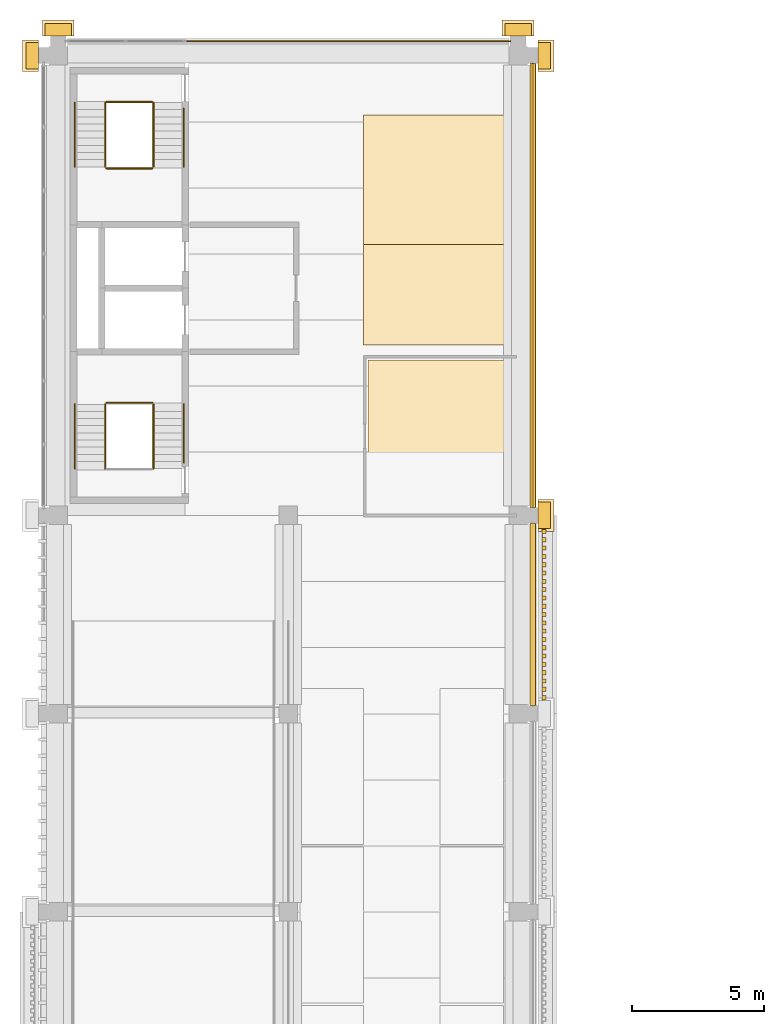
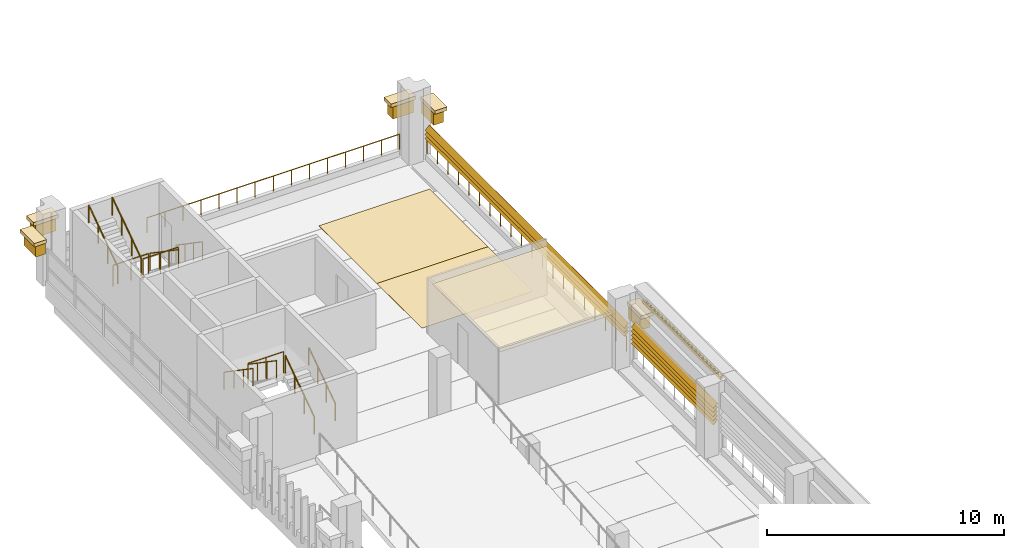
# One storey, part 17 of 25: 14 coverings, 13 railings, 8 shading devices.
"""IFC4 building model written with IfcOpenShell, lengths in metres."""

from ifc_helpers import new_model, si_unit, direction, frame, origin, origin_2d, place, context, subcontext, project, spatial, polyline, circle, outline, extrude, material, layer, layer_set, type_object, element, save


model = new_model("IFC4")

# Units and contexts
model_context = context("Model", 3, precision=1e-05, world=origin(), true_north=direction((0.0, 1.0)))
body_context = subcontext(model_context, "Body", "Model", "MODEL_VIEW")
ifc_project = project(units=[si_unit("LENGTHUNIT", "METRE"), si_unit("AREAUNIT", "SQUARE_METRE"), si_unit("VOLUMEUNIT", "CUBIC_METRE"), si_unit("PLANEANGLEUNIT", "RADIAN"), si_unit("MASSUNIT", "GRAM", prefix="KILO")], contexts=[model_context])

# Site, building, storey
site_placement = place(None, origin())
site = spatial("IfcSite", under=ifc_project, at=site_placement, CompositionType="ELEMENT")
building_placement = place(site_placement, origin())
building = spatial("IfcBuilding", under=site, at=building_placement, Name="Cour d'Honneur Mobility Palace", CompositionType="ELEMENT")
storey_placement = place(building_placement, frame((0.0, 0.0, 30.39990234375)))
storey = spatial("IfcBuildingStorey", under=building, at=storey_placement, Name="L08", CompositionType="ELEMENT", Elevation=30.39990234375)

# Coverings
ifc_material_1 = material(Name="Accessible bay marking paint")
ifc_layer_1 = layer(ifc_material_1, 0.0048828125)
ifc_layer_set_1 = layer_set([ifc_layer_1], Name="Accessible bay marking paint")
covering_type_1 = type_object("IfcCoveringType", Name="Accessible parking bay marking", PredefinedType="FLOORING", material=ifc_layer_set_1)
covering_1_placement = place(storey_placement, origin())
element("IfcCovering", 1, at=covering_1_placement, inside=storey, type_object=covering_type_1, Name="Accessible parking bay marking L08 1", PredefinedType="FLOORING", context=body_context, shape_type="SweptSolid", body=[
    extrude(outline(polyline([(16.949951171875, 51.449951171875), (11.550048828125, 51.449951171875), (11.550048828125, 56.35009765625), (16.949951171875, 56.35009765625), (16.949951171875, 51.449951171875)])), origin(), (0.0, 0.0, 1.0), 0.005126953125),
])
covering_2_placement = place(storey_placement, origin())
element("IfcCovering", 2, at=covering_2_placement, inside=storey, type_object=covering_type_1, Name="Accessible parking bay marking L08 2", PredefinedType="FLOORING", context=body_context, shape_type="SweptSolid", body=[
    extrude(outline(polyline([(11.550048828125, 60.14990234375), (16.949951171875, 60.14990234375), (16.949951171875, 55.25), (11.550048828125, 55.25), (11.550048828125, 60.14990234375)])), origin(), (0.0, 0.0, 1.0), 0.005126953125),
])

# Railings
ifc_material_2 = material(Name="Painted steel", Category="steel")
railing_type_1 = type_object("IfcRailingType", Name="Balustrade", PredefinedType="BALUSTRADE", material=ifc_material_2)
railing_1_placement = place(storey_placement, frame((17.949951171875, 45.300048828125, 0.300048828125)))
element("IfcRailing", 3, at=railing_1_placement, inside=storey, type_object=railing_type_1, Name="Balustrade BAL-396", PredefinedType="BALUSTRADE", context=body_context, shape_type="SweptSolid", body=[
    extrude(circle(Radius=0.02392578125, at=origin_2d()), frame((0.0, 0.0, 0.77587890625), z_axis=(0.0, 1.0, 0.0), x_axis=(-1.0, 0.0, 0.0)), (0.0, 0.0, 1.0), 16.800048828125),
    extrude(circle(Radius=0.02099609375, at=origin_2d()), origin(), (0.0, 0.0, 1.0), 0.751953125),
    extrude(circle(Radius=0.02099609375, at=origin_2d()), frame((0.0, 0.88427734375, 0.0)), (0.0, 0.0, 1.0), 0.751953125),
    extrude(circle(Radius=0.02099609375, at=origin_2d()), frame((0.0, 1.768310546875, 0.0)), (0.0, 0.0, 1.0), 0.751953125),
    extrude(circle(Radius=0.02099609375, at=origin_2d()), frame((0.0, 2.652587890625, 0.0)), (0.0, 0.0, 1.0), 0.751953125),
    extrude(circle(Radius=0.02099609375, at=origin_2d()), frame((0.0, 3.536865234375, 0.0)), (0.0, 0.0, 1.0), 0.751953125),
    extrude(circle(Radius=0.02099609375, at=origin_2d()), frame((0.0, 4.421142578125, 0.0)), (0.0, 0.0, 1.0), 0.751953125),
    extrude(circle(Radius=0.02099609375, at=origin_2d()), frame((0.0, 5.30517578125, 0.0)), (0.0, 0.0, 1.0), 0.751953125),
    extrude(circle(Radius=0.02099609375, at=origin_2d()), frame((0.0, 6.189453125, 0.0)), (0.0, 0.0, 1.0), 0.751953125),
    extrude(circle(Radius=0.02099609375, at=origin_2d()), frame((0.0, 7.07373046875, 0.0)), (0.0, 0.0, 1.0), 0.751953125),
    extrude(circle(Radius=0.02099609375, at=origin_2d()), frame((0.0, 7.9580078125, 0.0)), (0.0, 0.0, 1.0), 0.751953125),
    extrude(circle(Radius=0.02099609375, at=origin_2d()), frame((0.0, 8.842041015625, 0.0)), (0.0, 0.0, 1.0), 0.751953125),
    extrude(circle(Radius=0.02099609375, at=origin_2d()), frame((0.0, 9.726318359375, 0.0)), (0.0, 0.0, 1.0), 0.751953125),
    extrude(circle(Radius=0.02099609375, at=origin_2d()), frame((0.0, 10.610595703125, 0.0)), (0.0, 0.0, 1.0), 0.751953125),
    extrude(circle(Radius=0.02099609375, at=origin_2d()), frame((0.0, 11.494873046875, 0.0)), (0.0, 0.0, 1.0), 0.751953125),
    extrude(circle(Radius=0.02099609375, at=origin_2d()), frame((0.0, 12.37890625, 0.0)), (0.0, 0.0, 1.0), 0.751953125),
    extrude(circle(Radius=0.02099609375, at=origin_2d()), frame((0.0, 13.26318359375, 0.0)), (0.0, 0.0, 1.0), 0.751953125),
    extrude(circle(Radius=0.02099609375, at=origin_2d()), frame((0.0, 14.1474609375, 0.0)), (0.0, 0.0, 1.0), 0.751953125),
    extrude(circle(Radius=0.02099609375, at=origin_2d()), frame((0.0, 15.03173828125, 0.0)), (0.0, 0.0, 1.0), 0.751953125),
    extrude(circle(Radius=0.02099609375, at=origin_2d()), frame((0.0, 15.915771484375, 0.0)), (0.0, 0.0, 1.0), 0.751953125),
    extrude(circle(Radius=0.02099609375, at=origin_2d()), frame((0.0, 16.800048828125, 0.0)), (0.0, 0.0, 1.0), 0.751953125),
])
railing_2_placement = place(storey_placement, frame((17.10009765625, 62.949951171875, 0.300048828125)))
element("IfcRailing", 4, at=railing_2_placement, inside=storey, type_object=railing_type_1, Name="Balustrade BAL-397", PredefinedType="BALUSTRADE", context=body_context, shape_type="SweptSolid", body=[
    extrude(circle(Radius=0.02392578125, at=origin_2d()), frame((0.0, 0.0, 0.77587890625), z_axis=(-1.0, 0.0, 0.0), x_axis=(0.0, -1.0, 0.0)), (0.0, 0.0, 1.0), 12.300048828125),
    extrude(circle(Radius=0.02099609375, at=origin_2d()), origin(), (0.0, 0.0, 1.0), 0.751953125),
    extrude(circle(Radius=0.02099609375, at=origin_2d()), frame((-0.878662109375, 0.0, 0.0)), (0.0, 0.0, 1.0), 0.751953125),
    extrude(circle(Radius=0.02099609375, at=origin_2d()), frame((-1.757080078125, 0.0, 0.0)), (0.0, 0.0, 1.0), 0.751953125),
    extrude(circle(Radius=0.02099609375, at=origin_2d()), frame((-2.6357421875, 0.0, 0.0)), (0.0, 0.0, 1.0), 0.751953125),
    extrude(circle(Radius=0.02099609375, at=origin_2d()), frame((-3.514404296875, 0.0, 0.0)), (0.0, 0.0, 1.0), 0.751953125),
    extrude(circle(Radius=0.02099609375, at=origin_2d()), frame((-4.392822265625, 0.0, 0.0)), (0.0, 0.0, 1.0), 0.751953125),
    extrude(circle(Radius=0.02099609375, at=origin_2d()), frame((-5.271484375, 0.0, 0.0)), (0.0, 0.0, 1.0), 0.751953125),
    extrude(circle(Radius=0.02099609375, at=origin_2d()), frame((-6.14990234375, 0.0, 0.0)), (0.0, 0.0, 1.0), 0.751953125),
    extrude(circle(Radius=0.02099609375, at=origin_2d()), frame((-7.028564453125, 0.0, 0.0)), (0.0, 0.0, 1.0), 0.751953125),
    extrude(circle(Radius=0.02099609375, at=origin_2d()), frame((-7.9072265625, 0.0, 0.0)), (0.0, 0.0, 1.0), 0.751953125),
    extrude(circle(Radius=0.02099609375, at=origin_2d()), frame((-8.78564453125, 0.0, 0.0)), (0.0, 0.0, 1.0), 0.751953125),
    extrude(circle(Radius=0.02099609375, at=origin_2d()), frame((-9.664306640625, 0.0, 0.0)), (0.0, 0.0, 1.0), 0.751953125),
    extrude(circle(Radius=0.02099609375, at=origin_2d()), frame((-10.54296875, 0.0, 0.0)), (0.0, 0.0, 1.0), 0.751953125),
    extrude(circle(Radius=0.02099609375, at=origin_2d()), frame((-11.42138671875, 0.0, 0.0)), (0.0, 0.0, 1.0), 0.751953125),
    extrude(circle(Radius=0.02099609375, at=origin_2d()), frame((-12.300048828125, 0.0, 0.0)), (0.0, 0.0, 1.0), 0.751953125),
])

# Covering
ifc_material_3 = material(Name="Cast limestone", Category="masonry")
ifc_layer_2 = layer(ifc_material_3, 0.14990234375)
ifc_layer_set_2 = layer_set([ifc_layer_2], Name="Cast limestone")
covering_type_2 = type_object("IfcCoveringType", Name="Dentil course", PredefinedType="CLADDING", material=ifc_layer_set_2)
covering_3_placement = place(storey_placement, frame((0.0, 0.0, 3.150146484375)))
element("IfcCovering", 5, at=covering_3_placement, inside=storey, type_object=covering_type_2, Name="Dentil course DC-128", PredefinedType="CLADDING", context=body_context, shape_type="SweptSolid", body=[
    extrude(outline(polyline([(18.300048828125, 37.949951171875), (18.300048828125, 44.550048828125), (18.330078125, 44.550048828125), (18.330078125, 44.550048828125), (18.330078125, 44.471435546875), (18.449951171875, 44.471435546875), (18.449951171875, 44.314208984375), (18.330078125, 44.314208984375), (18.330078125, 44.235595703125), (18.330078125, 44.235595703125), (18.330078125, 44.1572265625), (18.449951171875, 44.1572265625), (18.449951171875, 44.0), (18.330078125, 44.0), (18.330078125, 43.92138671875), (18.330078125, 43.92138671875), (18.330078125, 43.8427734375), (18.449951171875, 43.8427734375), (18.449951171875, 43.685791015625), (18.330078125, 43.685791015625), (18.330078125, 43.607177734375), (18.330078125, 43.607177734375), (18.330078125, 43.528564453125), (18.449951171875, 43.528564453125), (18.449951171875, 43.371337890625), (18.330078125, 43.371337890625), (18.330078125, 43.29296875), (18.330078125, 43.29296875), (18.330078125, 43.21435546875), (18.449951171875, 43.21435546875), (18.449951171875, 43.05712890625), (18.330078125, 43.05712890625), (18.330078125, 42.978515625), (18.330078125, 42.978515625), (18.330078125, 42.89990234375), (18.449951171875, 42.89990234375), (18.449951171875, 42.742919921875), (18.330078125, 42.742919921875), (18.330078125, 42.664306640625), (18.330078125, 42.664306640625), (18.330078125, 42.585693359375), (18.449951171875, 42.585693359375), (18.449951171875, 42.428466796875), (18.330078125, 42.428466796875), (18.330078125, 42.35009765625), (18.330078125, 42.35009765625), (18.330078125, 42.271484375), (18.449951171875, 42.271484375), (18.449951171875, 42.1142578125), (18.330078125, 42.1142578125), (18.330078125, 42.03564453125), (18.330078125, 42.03564453125), (18.330078125, 41.95703125), (18.449951171875, 41.95703125), (18.449951171875, 41.800048828125), (18.330078125, 41.800048828125), (18.330078125, 41.721435546875), (18.330078125, 41.721435546875), (18.330078125, 41.642822265625), (18.449951171875, 41.642822265625), (18.449951171875, 41.485595703125), (18.330078125, 41.485595703125), (18.330078125, 41.4072265625), (18.330078125, 41.4072265625), (18.330078125, 41.32861328125), (18.449951171875, 41.32861328125), (18.449951171875, 41.17138671875), (18.330078125, 41.17138671875), (18.330078125, 41.0927734375), (18.330078125, 41.0927734375), (18.330078125, 41.014404296875), (18.449951171875, 41.014404296875), (18.449951171875, 40.857177734375), (18.330078125, 40.857177734375), (18.330078125, 40.778564453125), (18.330078125, 40.778564453125), (18.330078125, 40.699951171875), (18.449951171875, 40.699951171875), (18.449951171875, 40.54296875), (18.330078125, 40.54296875), (18.330078125, 40.46435546875), (18.330078125, 40.46435546875), (18.330078125, 40.3857421875), (18.449951171875, 40.3857421875), (18.449951171875, 40.228515625), (18.330078125, 40.228515625), (18.330078125, 40.14990234375), (18.330078125, 40.14990234375), (18.330078125, 40.071533203125), (18.449951171875, 40.071533203125), (18.449951171875, 39.914306640625), (18.330078125, 39.914306640625), (18.330078125, 39.835693359375), (18.330078125, 39.835693359375), (18.330078125, 39.757080078125), (18.449951171875, 39.757080078125), (18.449951171875, 39.60009765625), (18.330078125, 39.60009765625), (18.330078125, 39.521484375), (18.330078125, 39.521484375), (18.330078125, 39.44287109375), (18.449951171875, 39.44287109375), (18.449951171875, 39.28564453125), (18.330078125, 39.28564453125), (18.330078125, 39.20703125), (18.330078125, 39.20703125), (18.330078125, 39.128662109375), (18.449951171875, 39.128662109375), (18.449951171875, 38.971435546875), (18.330078125, 38.971435546875), (18.330078125, 38.892822265625), (18.330078125, 38.892822265625), (18.330078125, 38.814208984375), (18.449951171875, 38.814208984375), (18.449951171875, 38.6572265625), (18.330078125, 38.6572265625), (18.330078125, 38.57861328125), (18.330078125, 38.57861328125), (18.330078125, 38.5), (18.449951171875, 38.5), (18.449951171875, 38.3427734375), (18.330078125, 38.3427734375), (18.330078125, 38.264404296875), (18.330078125, 38.264404296875), (18.330078125, 38.185791015625), (18.449951171875, 38.185791015625), (18.449951171875, 38.028564453125), (18.330078125, 38.028564453125), (18.330078125, 37.949951171875), (18.300048828125, 37.949951171875)])), origin(), (0.0, 0.0, 1.0), 0.14990234375),
])

# Railings
ifc_material_4 = material(Name="Painted steel", Category="steel")
railing_type_2 = type_object("IfcRailingType", Name="Guardrail 1100", PredefinedType="GUARDRAIL", material=ifc_material_4)
for number, where, name in (
    (6, (1.824951171875, 49.264892578125, 1.85009765625), "Landing guard ST-CW1"),
    (7, (1.824951171875, 60.64501953125, 0.0), "Guard ST-CW2"),
    (8, (1.824951171875, 58.135009765625, 1.85009765625), "Landing guard ST-CW2"),
):
    element("IfcRailing", number, at=place(storey_placement, frame(where)), inside=storey, type_object=railing_type_2, Name=name, PredefinedType="GUARDRAIL", context=body_context, shape_type="SweptSolid", body=[
        extrude(circle(Radius=0.02490234375, at=origin_2d()), frame((0.0, 0.0, 1.0751953125), z_axis=(1.0, 0.0, 0.0), x_axis=(0.0, 1.0, 0.0)), (0.0, 0.0, 1.0), 1.72509765625),
        extrude(circle(Radius=0.02099609375, at=origin_2d()), origin(), (0.0, 0.0, 1.0), 1.050048828125),
        extrude(circle(Radius=0.02099609375, at=origin_2d()), frame((0.862548828125, 0.0, 0.0)), (0.0, 0.0, 1.0), 1.050048828125),
        extrude(circle(Radius=0.02099609375, at=origin_2d()), frame((1.72509765625, 0.0, 0.0)), (0.0, 0.0, 1.0), 1.050048828125),
    ])
ifc_material_5 = material(Name="Stainless steel", Category="steel")
railing_type_3 = type_object("IfcRailingType", Name="Handrail round 50", PredefinedType="HANDRAIL", material=ifc_material_5)
railing_3_placement = place(storey_placement, frame((4.75, 47.0, 0.33935546875)))
element("IfcRailing", 9, at=railing_3_placement, inside=storey, type_object=railing_type_3, Name="Handrail ST-CW1", PredefinedType="HANDRAIL", context=body_context, shape_type="SweptSolid", body=[
    extrude(circle(Radius=0.02490234375, at=origin_2d()), frame((0.0, 0.0, 0.89501953125), z_axis=(0.0, 0.824957609129, 0.565194606432), x_axis=(-1.0, 0.0, 0.0)), (0.0, 0.0, 1.0), 2.6728515625),
    extrude(circle(Radius=0.02099609375, at=origin_2d()), origin(), (0.0, 0.0, 1.0), 0.869873046875),
    extrude(circle(Radius=0.02099609375, at=origin_2d()), frame((0.0, 0.735107421875, 0.503662109375)), (0.0, 0.0, 1.0), 0.869873046875),
    extrude(circle(Radius=0.02099609375, at=origin_2d()), frame((0.0, 1.469970703125, 1.007080078125)), (0.0, 0.0, 1.0), 0.869873046875),
    extrude(circle(Radius=0.02099609375, at=origin_2d()), frame((0.0, 2.205078125, 1.5107421875)), (0.0, 0.0, 1.0), 0.869873046875),
])
railing_4_placement = place(storey_placement, frame((3.60009765625, 46.77490234375, 0.18505859375)))
element("IfcRailing", 10, at=railing_4_placement, inside=storey, type_object=railing_type_3, Name="Handrail ST-CW1", PredefinedType="HANDRAIL", context=body_context, shape_type="SweptSolid", body=[
    extrude(circle(Radius=0.02490234375, at=origin_2d()), frame((0.0, 0.0, 0.89501953125), z_axis=(0.0, 0.824945253146, 0.565212640793), x_axis=(-1.0, 0.0, 0.0)), (0.0, 0.0, 1.0), 2.94580078125),
    extrude(circle(Radius=0.02099609375, at=origin_2d()), origin(), (0.0, 0.0, 1.0), 0.869873046875),
    extrude(circle(Radius=0.02099609375, at=origin_2d()), frame((0.0, 0.81005859375, 0.554931640625)), (0.0, 0.0, 1.0), 0.869873046875),
    extrude(circle(Radius=0.02099609375, at=origin_2d()), frame((0.0, 1.6201171875, 1.110107421875)), (0.0, 0.0, 1.0), 0.869873046875),
    extrude(circle(Radius=0.02099609375, at=origin_2d()), frame((0.0, 2.43017578125, 1.6650390625)), (0.0, 0.0, 1.0), 0.869873046875),
])
for number, where, name in (
    (11, (1.77490234375, 49.205078125, 2.03515625), "Handrail ST-CW1"),
    (12, (0.625, 49.205078125, 2.03515625), "Handrail ST-CW1"),
):
    element("IfcRailing", number, at=place(storey_placement, frame(where)), inside=storey, type_object=railing_type_3, Name=name, PredefinedType="HANDRAIL", context=body_context, shape_type="SweptSolid", body=[
        extrude(circle(Radius=0.02490234375, at=origin_2d()), frame((0.0, 0.0, 0.89501953125), z_axis=(0.0, -0.824945253146, 0.565212640793), x_axis=(1.0, 0.0, 0.0)), (0.0, 0.0, 1.0), 2.94580078125),
        extrude(circle(Radius=0.02099609375, at=origin_2d()), origin(), (0.0, 0.0, 1.0), 0.869873046875),
        extrude(circle(Radius=0.02099609375, at=origin_2d()), frame((0.0, -0.81005859375, 0.554931640625)), (0.0, 0.0, 1.0), 0.869873046875),
        extrude(circle(Radius=0.02099609375, at=origin_2d()), frame((0.0, -1.6201171875, 1.110107421875)), (0.0, 0.0, 1.0), 0.869873046875),
        extrude(circle(Radius=0.02099609375, at=origin_2d()), frame((0.0, -2.43017578125, 1.6650390625)), (0.0, 0.0, 1.0), 0.869873046875),
    ])
railing_5_placement = place(storey_placement, frame((4.75, 60.39990234375, 0.33935546875)))
element("IfcRailing", 13, at=railing_5_placement, inside=storey, type_object=railing_type_3, Name="Handrail ST-CW2", PredefinedType="HANDRAIL", context=body_context, shape_type="SweptSolid", body=[
    extrude(circle(Radius=0.02490234375, at=origin_2d()), frame((0.0, 0.0, 0.89501953125), z_axis=(0.0, -0.824928428624, 0.565237195917), x_axis=(1.0, 0.0, 0.0)), (0.0, 0.0, 1.0), 2.6728515625),
    extrude(circle(Radius=0.02099609375, at=origin_2d()), origin(), (0.0, 0.0, 1.0), 0.869873046875),
    extrude(circle(Radius=0.02099609375, at=origin_2d()), frame((0.0, -0.73486328125, 0.503662109375)), (0.0, 0.0, 1.0), 0.869873046875),
    extrude(circle(Radius=0.02099609375, at=origin_2d()), frame((0.0, -1.469970703125, 1.007080078125)), (0.0, 0.0, 1.0), 0.869873046875),
    extrude(circle(Radius=0.02099609375, at=origin_2d()), frame((0.0, -2.204833984375, 1.5107421875)), (0.0, 0.0, 1.0), 0.869873046875),
])
railing_6_placement = place(storey_placement, frame((3.60009765625, 60.625, 0.18505859375)))
element("IfcRailing", 14, at=railing_6_placement, inside=storey, type_object=railing_type_3, Name="Handrail ST-CW2", PredefinedType="HANDRAIL", context=body_context, shape_type="SweptSolid", body=[
    extrude(circle(Radius=0.02490234375, at=origin_2d()), frame((0.0, 0.0, 0.89501953125), z_axis=(0.0, -0.8249187745, 0.56525128525), x_axis=(1.0, 0.0, 0.0)), (0.0, 0.0, 1.0), 2.945556640625),
    extrude(circle(Radius=0.02099609375, at=origin_2d()), origin(), (0.0, 0.0, 1.0), 0.869873046875),
    extrude(circle(Radius=0.02099609375, at=origin_2d()), frame((0.0, -0.81005859375, 0.554931640625)), (0.0, 0.0, 1.0), 0.869873046875),
    extrude(circle(Radius=0.02099609375, at=origin_2d()), frame((0.0, -1.619873046875, 1.110107421875)), (0.0, 0.0, 1.0), 0.869873046875),
    extrude(circle(Radius=0.02099609375, at=origin_2d()), frame((0.0, -2.429931640625, 1.6650390625)), (0.0, 0.0, 1.0), 0.869873046875),
])
for number, where, name in (
    (15, (1.77490234375, 58.195068359375, 2.03515625), "Handrail ST-CW2"),
    (16, (0.625, 58.195068359375, 2.03515625), "Handrail ST-CW2"),
):
    element("IfcRailing", number, at=place(storey_placement, frame(where)), inside=storey, type_object=railing_type_3, Name=name, PredefinedType="HANDRAIL", context=body_context, shape_type="SweptSolid", body=[
        extrude(circle(Radius=0.02490234375, at=origin_2d()), frame((0.0, 0.0, 0.89501953125), z_axis=(0.0, 0.8249187745, 0.56525128525), x_axis=(-1.0, 0.0, 0.0)), (0.0, 0.0, 1.0), 2.945556640625),
        extrude(circle(Radius=0.02099609375, at=origin_2d()), origin(), (0.0, 0.0, 1.0), 0.869873046875),
        extrude(circle(Radius=0.02099609375, at=origin_2d()), frame((0.0, 0.81005859375, 0.554931640625)), (0.0, 0.0, 1.0), 0.869873046875),
        extrude(circle(Radius=0.02099609375, at=origin_2d()), frame((0.0, 1.619873046875, 1.110107421875)), (0.0, 0.0, 1.0), 0.869873046875),
        extrude(circle(Radius=0.02099609375, at=origin_2d()), frame((0.0, 2.429931640625, 1.6650390625)), (0.0, 0.0, 1.0), 0.869873046875),
    ])

# Coverings
ifc_material_6 = material(Name="Cast limestone", Category="masonry")
ifc_layer_3 = layer(ifc_material_6, 0.1201171875)
ifc_layer_set_3 = layer_set([ifc_layer_3], Name="Cast limestone")
covering_type_3 = type_object("IfcCoveringType", Name="Pilaster capital", PredefinedType="CLADDING", material=ifc_layer_set_3)
covering_4_placement = place(storey_placement, frame((0.0, 0.0, 1.800048828125)))
element("IfcCovering", 17, at=covering_4_placement, inside=storey, type_object=covering_type_3, Name="Pilaster capital PK-17", PredefinedType="CLADDING", context=body_context, shape_type="SweptSolid", body=[
    extrude(outline(polyline([(18.14990234375, 44.5), (18.14990234375, 45.5), (18.6201171875, 45.5), (18.6201171875, 44.5), (18.14990234375, 44.5)])), origin(), (0.0, 0.0, 1.0), 0.6201171875),
])
covering_5_placement = place(storey_placement, frame((0.0, 0.0, 2.420166015625)))
element("IfcCovering", 18, at=covering_5_placement, inside=storey, type_object=covering_type_3, Name="Pilaster capital PK-18", PredefinedType="CLADDING", context=body_context, shape_type="SweptSolid", body=[
    extrude(outline(polyline([(18.14990234375, 44.39990234375), (18.14990234375, 45.60009765625), (18.75, 45.60009765625), (18.75, 44.39990234375), (18.14990234375, 44.39990234375)])), origin(), (0.0, 0.0, 1.0), 0.179931640625),
])
covering_6_placement = place(storey_placement, frame((0.0, 0.0, 1.800048828125)))
element("IfcCovering", 19, at=covering_6_placement, inside=storey, type_object=covering_type_3, Name="Pilaster capital PK-157", PredefinedType="CLADDING", context=body_context, shape_type="SweptSolid", body=[
    extrude(outline(polyline([(17.89990234375, 63.14990234375), (16.89990234375, 63.14990234375), (16.89990234375, 63.6201171875), (17.89990234375, 63.6201171875), (17.89990234375, 63.14990234375)])), origin(), (0.0, 0.0, 1.0), 0.6201171875),
])
covering_7_placement = place(storey_placement, frame((0.0, 0.0, 2.420166015625)))
element("IfcCovering", 20, at=covering_7_placement, inside=storey, type_object=covering_type_3, Name="Pilaster capital PK-158", PredefinedType="CLADDING", context=body_context, shape_type="SweptSolid", body=[
    extrude(outline(polyline([(18.0, 63.14990234375), (16.800048828125, 63.14990234375), (16.800048828125, 63.75), (18.0, 63.75), (18.0, 63.14990234375)])), origin(), (0.0, 0.0, 1.0), 0.179931640625),
])
covering_8_placement = place(storey_placement, frame((0.0, 0.0, 1.800048828125)))
element("IfcCovering", 21, at=covering_8_placement, inside=storey, type_object=covering_type_3, Name="Pilaster capital PK-159", PredefinedType="CLADDING", context=body_context, shape_type="SweptSolid", body=[
    extrude(outline(polyline([(18.14990234375, 61.89990234375), (18.14990234375, 62.89990234375), (18.6201171875, 62.89990234375), (18.6201171875, 61.89990234375), (18.14990234375, 61.89990234375)])), origin(), (0.0, 0.0, 1.0), 0.6201171875),
])
covering_9_placement = place(storey_placement, frame((0.0, 0.0, 2.420166015625)))
element("IfcCovering", 22, at=covering_9_placement, inside=storey, type_object=covering_type_3, Name="Pilaster capital PK-160", PredefinedType="CLADDING", context=body_context, shape_type="SweptSolid", body=[
    extrude(outline(polyline([(18.14990234375, 61.800048828125), (18.14990234375, 63.0), (18.75, 63.0), (18.75, 61.800048828125), (18.14990234375, 61.800048828125)])), origin(), (0.0, 0.0, 1.0), 0.179931640625),
])
covering_10_placement = place(storey_placement, frame((0.0, 0.0, 1.800048828125)))
element("IfcCovering", 23, at=covering_10_placement, inside=storey, type_object=covering_type_3, Name="Pilaster capital PK-193", PredefinedType="CLADDING", context=body_context, shape_type="SweptSolid", body=[
    extrude(outline(polyline([(-0.75, 62.89990234375), (-0.75, 61.89990234375), (-1.219970703125, 61.89990234375), (-1.219970703125, 62.89990234375), (-0.75, 62.89990234375)])), origin(), (0.0, 0.0, 1.0), 0.6201171875),
])
covering_11_placement = place(storey_placement, frame((0.0, 0.0, 2.420166015625)))
element("IfcCovering", 24, at=covering_11_placement, inside=storey, type_object=covering_type_3, Name="Pilaster capital PK-194", PredefinedType="CLADDING", context=body_context, shape_type="SweptSolid", body=[
    extrude(outline(polyline([(-0.75, 63.0), (-0.75, 61.800048828125), (-1.35009765625, 61.800048828125), (-1.35009765625, 63.0), (-0.75, 63.0)])), origin(), (0.0, 0.0, 1.0), 0.179931640625),
])
covering_12_placement = place(storey_placement, frame((0.0, 0.0, 1.800048828125)))
element("IfcCovering", 25, at=covering_12_placement, inside=storey, type_object=covering_type_3, Name="Pilaster capital PK-209", PredefinedType="CLADDING", context=body_context, shape_type="SweptSolid", body=[
    extrude(outline(polyline([(0.5, 63.14990234375), (-0.5, 63.14990234375), (-0.5, 63.6201171875), (0.5, 63.6201171875), (0.5, 63.14990234375)])), origin(), (0.0, 0.0, 1.0), 0.6201171875),
])
covering_13_placement = place(storey_placement, frame((0.0, 0.0, 2.420166015625)))
element("IfcCovering", 26, at=covering_13_placement, inside=storey, type_object=covering_type_3, Name="Pilaster capital PK-210", PredefinedType="CLADDING", context=body_context, shape_type="SweptSolid", body=[
    extrude(outline(polyline([(0.60009765625, 63.14990234375), (-0.60009765625, 63.14990234375), (-0.60009765625, 63.75), (0.60009765625, 63.75), (0.60009765625, 63.14990234375)])), origin(), (0.0, 0.0, 1.0), 0.179931640625),
])
ifc_material_7 = material(Name="Suspended ceiling")
ifc_layer_4 = layer(ifc_material_7, 0.030029296875)
ifc_layer_set_4 = layer_set([ifc_layer_4], Name="Suspended ceiling")
covering_type_4 = type_object("IfcCoveringType", Name="Suspended ceiling", PredefinedType="CEILING", material=ifc_layer_set_4)
covering_14_placement = place(storey_placement, frame((0.0, 0.0, 2.550048828125)))
element("IfcCovering", 27, at=covering_14_placement, inside=storey, type_object=covering_type_4, Name="Ceiling Charging Control Room", PredefinedType="CEILING", context=body_context, shape_type="SweptSolid", body=[
    extrude(outline(polyline([(17.280029296875, 45.1201171875), (11.719970703125, 45.1201171875), (11.719970703125, 50.8798828125), (17.280029296875, 50.8798828125), (17.280029296875, 45.1201171875)])), origin(), (0.0, 0.0, 1.0), 0.030029296875),
])

# Shading devices
ifc_material_8 = material(Name="Terracotta", Category="masonry")
ifc_layer_5 = layer(ifc_material_8, 0.02490234375)
ifc_layer_set_5 = layer_set([ifc_layer_5], Name="Terracotta")
shading_device_type = type_object("IfcShadingDeviceType", Name="Terracotta louvre blade", PredefinedType="JALOUSIE", material=ifc_layer_set_5)
for number, where, z_axis, x_axis, name in (
    (28, (17.843994140625, 37.800048828125, 1.10009765625), (-0.707106781187, 0.0, 0.707106781187), (0.0, 1.0, 0.0), "Louvre blade LV-1 E1.5 L08 1"),
    (29, (17.843994140625, 37.800048828125, 1.312255859375), (-0.707106781187, 0.0, 0.707106781187), (0.0, 1.0, 0.0), "Louvre blade LV-1 E1.5 L08 2"),
    (30, (17.843994140625, 37.800048828125, 1.5244140625), (-0.707106781187, 0.0, 0.707106781187), (0.0, 1.0, 0.0), "Louvre blade LV-1 E1.5 L08 3"),
    (31, (17.843994140625, 37.800048828125, 1.736572265625), (-0.707106781187, 0.0, 0.707106781187), (0.0, 1.0, 0.0), "Louvre blade LV-1 E1.5 L08 4"),
):
    element("IfcShadingDevice", number, at=place(storey_placement, frame(where, z_axis=z_axis, x_axis=x_axis)), inside=storey, type_object=shading_device_type, Name=name, PredefinedType="JALOUSIE", context=body_context, shape_type="SweptSolid", body=[
        extrude(outline(polyline([(0.0, 0.0), (6.89990234375, 0.0), (6.89990234375, -0.300037008228081), (0.0, -0.300037008228081), (0.0, 0.0)])), origin(), (0.0, 0.0, -1.0), 0.02490234375),
    ])
shading_device_placement = place(storey_placement, frame((17.843994140625, 37.800048828125, 1.94873046875), z_axis=(-0.706699578995, 0.0, 0.707513749017), x_axis=(0.0, 1.0, 0.0)))
element("IfcShadingDevice", 32, at=shading_device_placement, inside=storey, type_object=shading_device_type, Name="Louvre blade LV-1 E1.5 L08 5", PredefinedType="JALOUSIE", context=body_context, shape_type="SweptSolid", body=[
    extrude(outline(polyline([(0.0, 0.0), (6.89990234375, 0.0), (6.89990234375, -0.29986442442957895), (0.0, -0.29986442442957895), (0.0, 0.0)])), origin(), (0.0, 0.0, -1.0), 0.02490234375),
])
for number, where, z_axis, x_axis, name in (
    (33, (17.843994140625, 45.300048828125, 1.10009765625), (-0.707106781187, 0.0, 0.707106781187), (0.0, 1.0, 0.0), "Louvre blade LV-1 E1.6 L08 1"),
    (34, (17.843994140625, 45.300048828125, 1.312255859375), (-0.707106781187, 0.0, 0.707106781187), (0.0, 1.0, 0.0), "Louvre blade LV-1 E1.6 L08 2"),
    (35, (17.843994140625, 45.300048828125, 1.5244140625), (-0.707106781187, 0.0, 0.707106781187), (0.0, 1.0, 0.0), "Louvre blade LV-1 E1.6 L08 3"),
):
    element("IfcShadingDevice", number, at=place(storey_placement, frame(where, z_axis=z_axis, x_axis=x_axis)), inside=storey, type_object=shading_device_type, Name=name, PredefinedType="JALOUSIE", context=body_context, shape_type="SweptSolid", body=[
        extrude(outline(polyline([(0.0, 0.0), (16.800048828125, 0.0), (16.800048828125, -0.30003700822808094), (0.0, -0.30003700822808094), (0.0, 0.0)])), origin(), (0.0, 0.0, -1.0), 0.02490234375),
    ])

save(model, "model.ifc")
